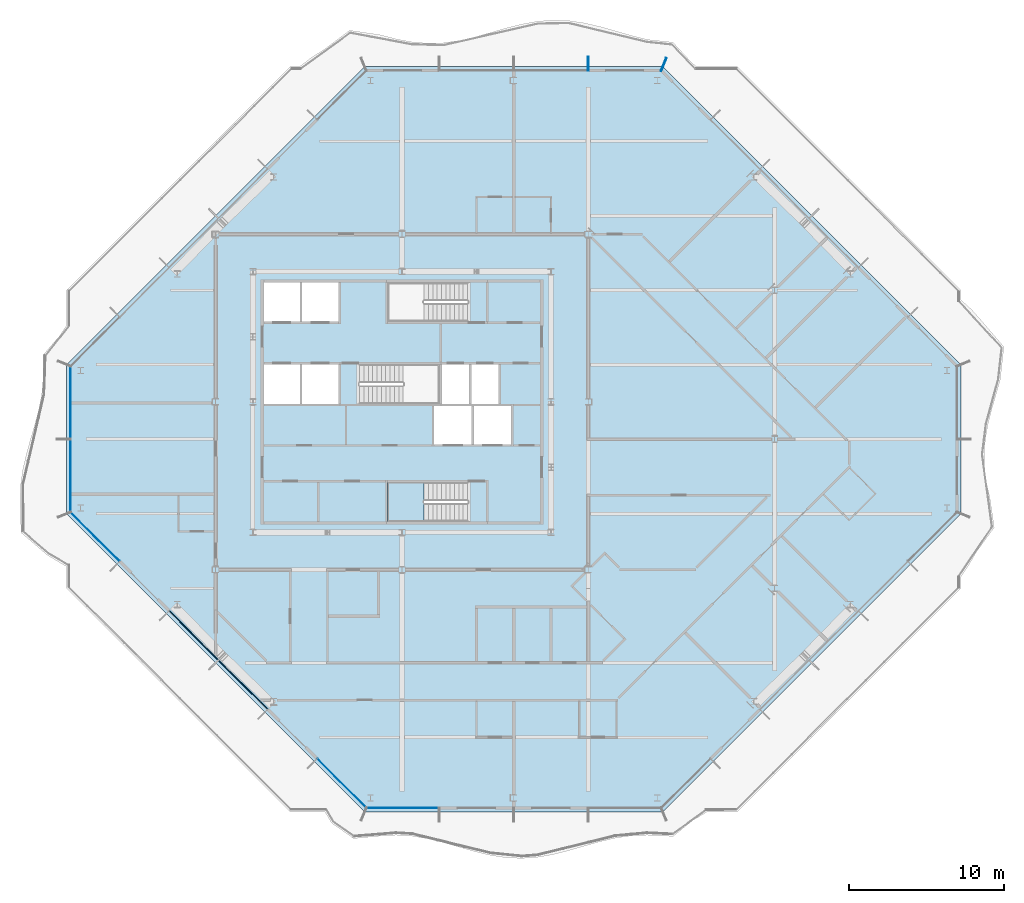
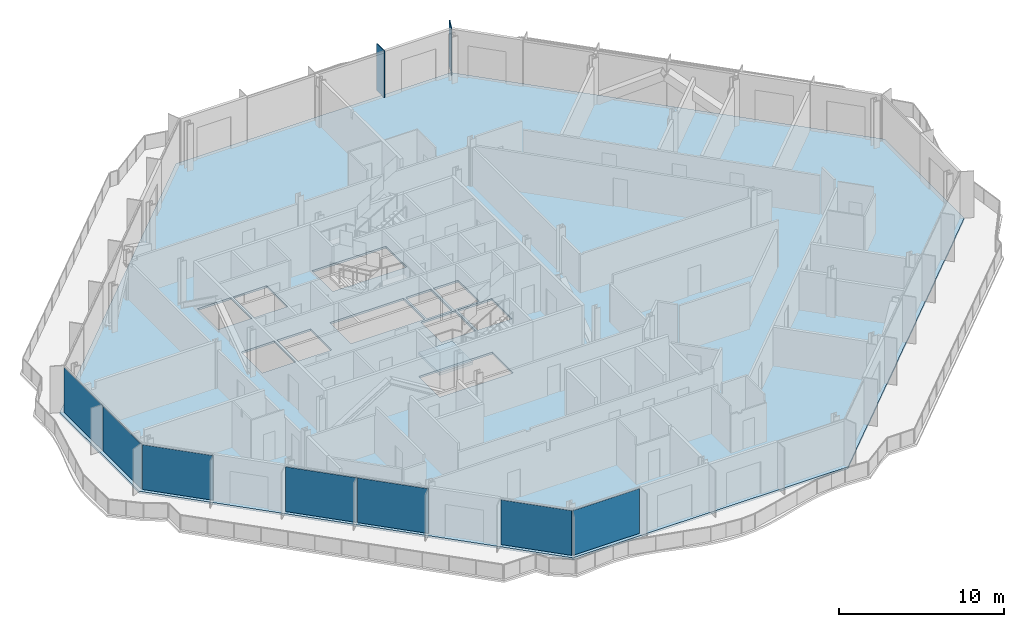
# One storey, part 5 of 17: 7 plates, 2 members, 2 slabs, 5 elements without a shape of their own.
"""IFC4 building model written with IfcOpenShell, lengths in metres."""

from ifc_helpers import new_model, si_unit, direction, frame, origin, origin_2d, place, context, subcontext, project, spatial, polyline, rectangle, outline, extrude, material, layer, layer_set, material_profile, profile_set, type_object, element, aggregate, save


model = new_model("IFC4")

# Units and contexts
model_context = context("Model", 3, precision=1e-05, world=origin(), true_north=direction((0.0, 1.0)))
body_context = subcontext(model_context, "Body", "Model", "MODEL_VIEW")
ifc_project = project(units=[si_unit("LENGTHUNIT", "METRE"), si_unit("AREAUNIT", "SQUARE_METRE"), si_unit("VOLUMEUNIT", "CUBIC_METRE"), si_unit("PLANEANGLEUNIT", "RADIAN"), si_unit("MASSUNIT", "GRAM", prefix="KILO")], contexts=[model_context])

# Site, building, storey
site_placement = place(None, origin())
site = spatial("IfcSite", under=ifc_project, at=site_placement, CompositionType="ELEMENT")
building_placement = place(site_placement, origin())
building = spatial("IfcBuilding", under=site, at=building_placement, Name="Cairn Pilgrim Tower", CompositionType="ELEMENT")
storey_placement = place(building_placement, frame((0.0, 0.0, 210.60009765625)))
storey = spatial("IfcBuildingStorey", under=building, at=storey_placement, Name="L53", CompositionType="ELEMENT", Elevation=210.60009765625)

# Curtain wall, members
ifc_material_1 = material(Name="Aluminium alloy 6063-T6 bronze anodised with Bronze tinted laminated low-E glass 8+16+8.8", Category="aluminium")
curtain_wall_type_1 = type_object("IfcCurtainWallType", Name="TOWER STICK CURTAIN WALL NS", PredefinedType="NOTDEFINED", material=ifc_material_1)
curtain_wall_1_placement = place(storey_placement, origin())
curtain_wall_1 = element("IfcCurtainWall", 1, at=curtain_wall_1_placement, inside=storey, type_object=curtain_wall_type_1, Name="Tower Stick Curtain Wall Ns N", PredefinedType="NOTDEFINED")
ifc_material_2 = material(Name="Aluminium alloy 6063-T6 bronze anodised", Category="aluminium")
ifc_material_profile = material_profile(ifc_material_2, rectangle(XDim=0.89990234375, YDim=0.06005859375, at=origin_2d()), Name="FIN MULLION 60x900 BRONZE")
ifc_profile_set = profile_set([ifc_material_profile], Name="Aluminium alloy 6063-T6 bronze anodised")
member_type = type_object("IfcMemberType", Name="FIN MULLION 60x900 BRONZE", PredefinedType="MULLION", material=ifc_profile_set)
member_1_placement = place(storey_placement, frame((24.05712890625, 24.137939453125, 0.0), z_axis=(0.0, 0.0, 1.0), x_axis=(0.382683432365, 0.923879532511, 0.0)))
member_1 = element("IfcMember", 2, at=member_1_placement, type_object=member_type, Name="Fin mullion N1", PredefinedType="MULLION", context=body_context, shape_type="SweptSolid", body=[
    extrude(rectangle(XDim=0.89990234375, YDim=0.06005859375, at=origin_2d()), origin(), (0.0, 0.0, 1.0), 3.449951171875),
])
member_2_placement = place(storey_placement, frame((19.199951171875, 24.169921875, 0.0), z_axis=(0.0, 0.0, 1.0), x_axis=(0.0, 1.0, 0.0)))
member_2 = element("IfcMember", 3, at=member_2_placement, type_object=member_type, Name="Fin mullion N2", PredefinedType="MULLION", context=body_context, shape_type="SweptSolid", body=[
    extrude(rectangle(XDim=0.89990234375, YDim=0.06005859375, at=origin_2d()), origin(), (0.0, 0.0, 1.0), 3.449951171875),
])
aggregate(curtain_wall_1, [member_1, member_2])

# Slab
ifc_material_3 = material(Name="Concrete C35/45", Category="concrete")
ifc_layer_1 = layer(ifc_material_3, 0.14990234375)
ifc_layer_set_1 = layer_set([ifc_layer_1], Name="COMPOSITE FLOOR SLAB 150")
slab_type_1 = type_object("IfcSlabType", Name="COMPOSITE FLOOR SLAB 150", PredefinedType="FLOOR", material=ifc_layer_set_1)
slab_1_placement = place(storey_placement, frame((0.0, 0.0, -0.150146484375)))
element("IfcSlab", 4, at=slab_1_placement, inside=storey, type_object=slab_type_1, Name="FLOOR SLAB L53", PredefinedType="FLOOR", context=body_context, shape_type="SweptSolid", body=[
    extrude(outline(polyline([(4.800048828125, -24.0), (24.0, -24.0), (43.199951171875, -4.800048828125), (43.199951171875, 4.800048828125), (24.0, 24.0), (4.800048828125, 24.0), (-14.39990234375, 4.800048828125), (-14.39990234375, -4.800048828125), (4.800048828125, -24.0)]), holes=[polyline([(9.27490234375, -0.324951171875), (11.675048828125, -0.324951171875), (11.675048828125, 2.125), (9.27490234375, 2.125), (9.27490234375, -0.324951171875)]), polyline([(11.824951171875, -0.324951171875), (14.22509765625, -0.324951171875), (14.22509765625, 2.125), (11.824951171875, 2.125), (11.824951171875, -0.324951171875)]), polyline([(-1.72509765625, 2.27490234375), (0.625, 2.27490234375), (0.625, 4.824951171875), (-1.72509765625, 4.824951171875), (-1.72509765625, 2.27490234375)]), polyline([(0.77490234375, 2.27490234375), (3.125, 2.27490234375), (3.125, 4.824951171875), (0.77490234375, 4.824951171875), (0.77490234375, 2.27490234375)]), polyline([(-1.72509765625, 7.574951171875), (0.625, 7.574951171875), (0.625, 10.10009765625), (-1.72509765625, 10.10009765625), (-1.72509765625, 7.574951171875)]), polyline([(0.77490234375, 7.574951171875), (3.125, 7.574951171875), (3.125, 10.10009765625), (0.77490234375, 10.10009765625), (0.77490234375, 7.574951171875)]), polyline([(9.77490234375, 2.27490234375), (11.52490234375, 2.27490234375), (11.52490234375, 4.824951171875), (9.77490234375, 4.824951171875), (9.77490234375, 2.27490234375)]), polyline([(11.675048828125, 2.27490234375), (13.425048828125, 2.27490234375), (13.425048828125, 4.824951171875), (11.675048828125, 4.824951171875), (11.675048828125, 2.27490234375)]), polyline([(11.424560546875, -2.77490234375), (6.27490234375, -2.77490234375), (6.27490234375, -5.300048828125), (11.424560546875, -5.300048828125), (11.424560546875, -2.77490234375)]), polyline([(4.4755859375, 2.27490234375), (9.625, 2.27490234375), (9.625, 4.824951171875), (4.4755859375, 4.824951171875), (4.4755859375, 2.27490234375)]), polyline([(11.424560546875, 10.10009765625), (6.27490234375, 10.10009765625), (6.27490234375, 7.574951171875), (11.424560546875, 7.574951171875), (11.424560546875, 10.10009765625)])]), origin(), (0.0, 0.0, 1.0), 0.150146484375),
])

# Curtain wall, plates
curtain_wall_type_2 = type_object("IfcCurtainWallType", Name="CHAMFER CORNER CURTAIN WALL", PredefinedType="NOTDEFINED", material=ifc_material_1)
curtain_wall_2_placement = place(storey_placement, origin())
curtain_wall_2 = element("IfcCurtainWall", 5, at=curtain_wall_2_placement, inside=storey, type_object=curtain_wall_type_2, Name="Chamfer Corner Curtain Wall SW", PredefinedType="NOTDEFINED")
ifc_material_4 = material(Name="Bronze anodised aluminium spandrel panel with mineral wool insulation", Category="aluminium")
ifc_layer_2 = layer(ifc_material_4, 0.06005859375)
ifc_layer_set_2 = layer_set([ifc_layer_2], Name="SPANDREL PANEL 4431x3300")
plate_type_1 = type_object("IfcPlateType", Name="SPANDREL PANEL 4431x3300", PredefinedType="CURTAIN_PANEL", material=ifc_layer_set_2)
plate_1_placement = place(storey_placement, frame((-6.2109375, -12.635498046875, 0.0), z_axis=(0.0, 0.0, 1.0), x_axis=(0.707106781187, -0.707106781187, 0.0)))
plate_1 = element("IfcPlate", 6, at=plate_1_placement, type_object=plate_type_1, Name="Spandrel Panel SW3-1", PredefinedType="CURTAIN_PANEL", context=body_context, shape_type="SweptSolid", body=[
    extrude(rectangle(XDim=4.430908203125, YDim=0.06005859375, at=origin_2d()), origin(), (0.0, 0.0, 1.0), 3.300048828125),
])
plate_2_placement = place(storey_placement, frame((-3.035400390625, -15.81103515625, 0.0), z_axis=(0.0, 0.0, 1.0), x_axis=(0.707106781187, -0.707106781187, 0.0)))
plate_2 = element("IfcPlate", 7, at=plate_2_placement, type_object=plate_type_1, Name="Spandrel Panel SW4-1", PredefinedType="CURTAIN_PANEL", context=body_context, shape_type="SweptSolid", body=[
    extrude(rectangle(XDim=4.430908203125, YDim=0.06005859375, at=origin_2d()), origin(), (0.0, 0.0, 1.0), 3.300048828125),
])

# Stair, slab
ifc_material_5 = material(Name="Concrete C32/40", Category="concrete")
stair_type = type_object("IfcStairType", Name="EXIT STAIR 1200", PredefinedType="HALF_TURN_STAIR", material=ifc_material_5)
stair_placement = place(storey_placement, origin())
stair = element("IfcStair", 8, at=stair_placement, inside=storey, type_object=stair_type, Name="L53 Exit Stair A", PredefinedType="HALF_TURN_STAIR")
ifc_layer_3 = layer(ifc_material_5, 0.199951171875)
ifc_layer_set_3 = layer_set([ifc_layer_3], Name="STAIR LANDING 200")
slab_type_2 = type_object("IfcSlabType", Name="STAIR LANDING 200", PredefinedType="LANDING", material=ifc_layer_set_3)
slab_2_placement = place(storey_placement, frame((0.0, 0.0, 1.599853515625)))
slab_2 = element("IfcSlab", 9, at=slab_2_placement, type_object=slab_type_2, Name="ST-A landing 1", PredefinedType="LANDING", context=body_context, shape_type="SweptSolid", body=[
    extrude(outline(polyline([(8.625, -2.77490234375), (6.27490234375, -2.77490234375), (6.27490234375, -5.300048828125), (8.625, -5.300048828125), (8.625, -2.77490234375)])), origin(), (0.0, 0.0, 1.0), 0.199951171875),
])
aggregate(stair, [slab_2])

# Plate
ifc_material_6 = material(Name="Bronze tinted laminated low-E glass 8+16+8.8", Category="glass")
ifc_layer_4 = layer(ifc_material_6, 0.033935546875)
ifc_layer_set_4 = layer_set([ifc_layer_4], Name="VISION GLAZING 4421x3300")
plate_type_2 = type_object("IfcPlateType", Name="VISION GLAZING 4421x3300", PredefinedType="CURTAIN_PANEL", material=ifc_layer_set_4)
plate_3_placement = place(storey_placement, frame((-12.55859375, -6.287841796875, 0.0), z_axis=(0.0, 0.0, 1.0), x_axis=(0.707106781187, -0.707106781187, 0.0)))
plate_3 = element("IfcPlate", 10, at=plate_3_placement, type_object=plate_type_2, Name="Vision Glazing SW1-1", PredefinedType="CURTAIN_PANEL", context=body_context, shape_type="SweptSolid", body=[
    extrude(rectangle(XDim=4.4208984375, YDim=0.033935546875, at=origin_2d()), origin(), (0.0, 0.0, 1.0), 3.300048828125),
])

plate_4_placement = place(storey_placement, frame((3.312255859375, -22.15869140625, 0.0), z_axis=(0.0, 0.0, 1.0), x_axis=(0.707106781187, -0.707106781187, 0.0)))
plate_4 = element("IfcPlate", 11, at=plate_4_placement, type_object=plate_type_2, Name="Vision Glazing SW6-1", PredefinedType="CURTAIN_PANEL", context=body_context, shape_type="SweptSolid", body=[
    extrude(rectangle(XDim=4.4208984375, YDim=0.033935546875, at=origin_2d()), origin(), (0.0, 0.0, 1.0), 3.300048828125),
])

aggregate(curtain_wall_2, [plate_3, plate_1, plate_2, plate_4])

# Curtain wall, plate
curtain_wall_3_placement = place(storey_placement, origin())
curtain_wall_3 = element("IfcCurtainWall", 12, at=curtain_wall_3_placement, inside=storey, type_object=curtain_wall_type_1, Name="Tower Stick Curtain Wall Ns S", PredefinedType="NOTDEFINED")
ifc_layer_5 = layer(ifc_material_6, 0.033935546875)
ifc_layer_set_5 = layer_set([ifc_layer_5], Name="VISION GLAZING 4626x3300")
plate_type_3 = type_object("IfcPlateType", Name="VISION GLAZING 4626x3300", PredefinedType="CURTAIN_PANEL", material=ifc_layer_set_5)
plate_5_placement = place(storey_placement, frame((7.2568359375, -23.75, 0.0), z_axis=(0.0, 0.0, 1.0), x_axis=(1.0, 0.0, 0.0)))
plate_5 = element("IfcPlate", 13, at=plate_5_placement, type_object=plate_type_3, Name="Vision Glazing S1-1", PredefinedType="CURTAIN_PANEL", context=body_context, shape_type="SweptSolid", body=[
    extrude(rectangle(XDim=4.62646484375, YDim=0.033935546875, at=origin_2d()), origin(), (0.0, 0.0, 1.0), 3.300048828125),
])
aggregate(curtain_wall_3, [plate_5])

# Curtain wall, plates
curtain_wall_type_3 = type_object("IfcCurtainWallType", Name="TOWER STICK CURTAIN WALL EW", PredefinedType="NOTDEFINED", material=ifc_material_1)
curtain_wall_4_placement = place(storey_placement, origin())
curtain_wall_4 = element("IfcCurtainWall", 14, at=curtain_wall_4_placement, inside=storey, type_object=curtain_wall_type_3, Name="Tower Stick Curtain Wall Ew W", PredefinedType="NOTDEFINED")
plate_6_placement = place(storey_placement, frame((-14.14990234375, 2.34326171875, 0.0), z_axis=(0.0, 0.0, 1.0), x_axis=(0.0, -1.0, 0.0)))
plate_6 = element("IfcPlate", 15, at=plate_6_placement, type_object=plate_type_3, Name="Vision Glazing W1-1", PredefinedType="CURTAIN_PANEL", context=body_context, shape_type="SweptSolid", body=[
    extrude(rectangle(XDim=4.62646484375, YDim=0.033935546875, at=origin_2d()), origin(), (0.0, 0.0, 1.0), 3.300048828125),
])
plate_7_placement = place(storey_placement, frame((-14.14990234375, -2.34326171875, 0.0), z_axis=(0.0, 0.0, 1.0), x_axis=(0.0, -1.0, 0.0)))
plate_7 = element("IfcPlate", 16, at=plate_7_placement, type_object=plate_type_3, Name="Vision Glazing W2-1", PredefinedType="CURTAIN_PANEL", context=body_context, shape_type="SweptSolid", body=[
    extrude(rectangle(XDim=4.62646484375, YDim=0.033935546875, at=origin_2d()), origin(), (0.0, 0.0, 1.0), 3.300048828125),
])
aggregate(curtain_wall_4, [plate_6, plate_7])

save(model, "model.ifc")
